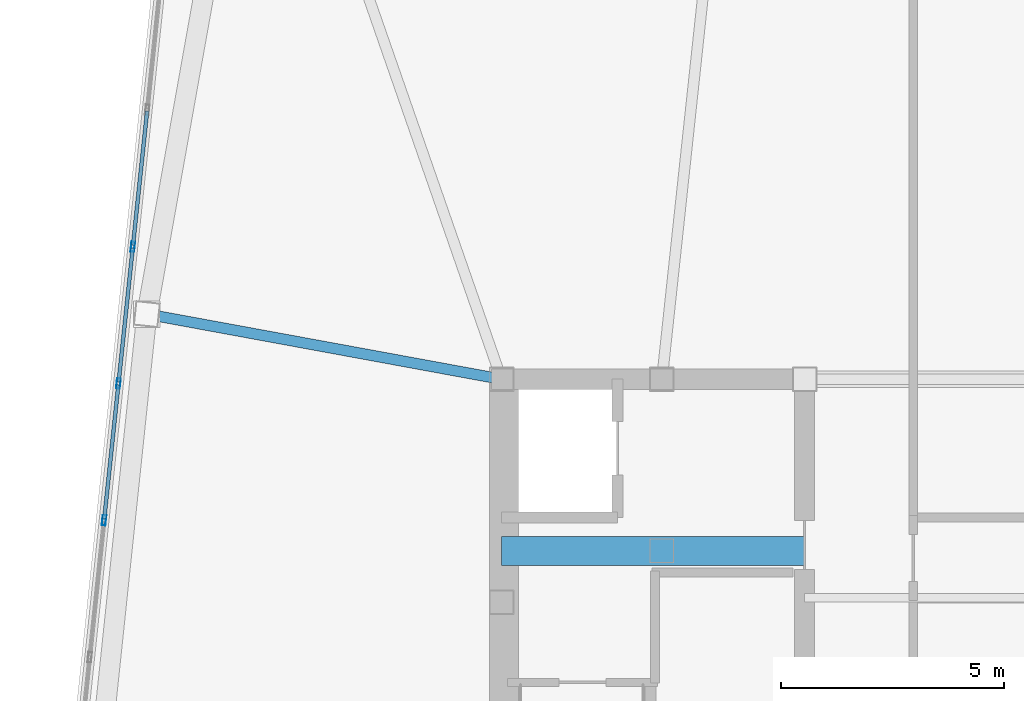
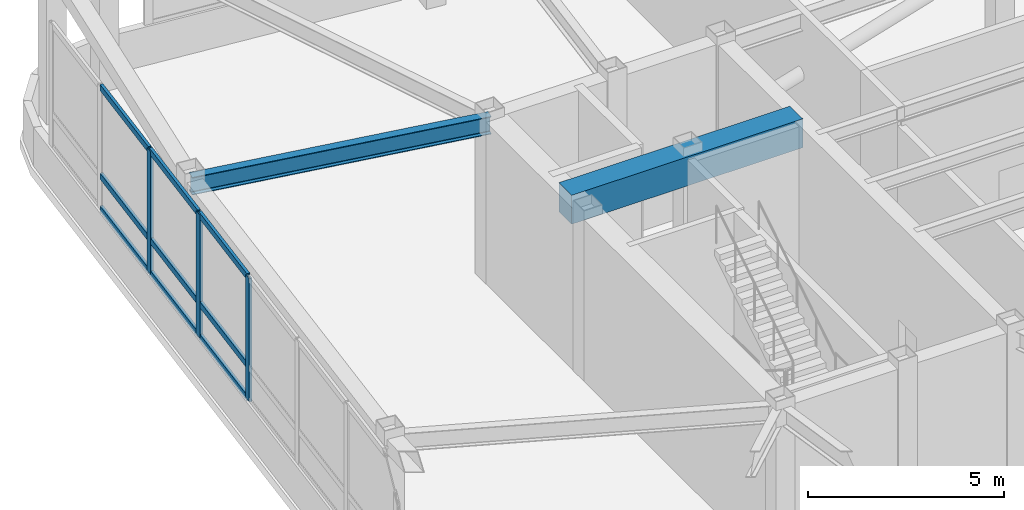
# One storey, part 7 of 23: 12 members, 2 beams, 1 element without a shape of its own.
"""IFC4 building model written with IfcOpenShell, lengths in metres."""

from ifc_helpers import new_model, si_unit, direction, frame, origin, origin_2d, place, context, subcontext, project, spatial, rectangle, hollow_rectangle, i_section, extrude, material, layer, layer_set, material_profile, profile_set, type_object, element, aggregate, save


model = new_model("IFC4")

# Units and contexts
model_context = context("Model", 3, precision=1e-05, world=origin(), true_north=direction((0.0, 1.0)))
body_context = subcontext(model_context, "Body", "Model", "MODEL_VIEW")
ifc_project = project(units=[si_unit("LENGTHUNIT", "METRE"), si_unit("AREAUNIT", "SQUARE_METRE"), si_unit("VOLUMEUNIT", "CUBIC_METRE"), si_unit("PLANEANGLEUNIT", "RADIAN"), si_unit("MASSUNIT", "GRAM", prefix="KILO")], contexts=[model_context])

# Site, building, storey
site_placement = place(None, origin())
site = spatial("IfcSite", under=ifc_project, at=site_placement, CompositionType="ELEMENT")
building_placement = place(site_placement, origin())
building = spatial("IfcBuilding", under=site, at=building_placement, Name="Voryun Gate Residences", CompositionType="ELEMENT")
storey_placement = place(building_placement, frame((0.0, 0.0, 331.89990234375)))
storey = spatial("IfcBuildingStorey", under=building, at=storey_placement, Name="L81", CompositionType="ELEMENT", Elevation=331.89990234375)

# Beams
ifc_material_1 = material(Name="Concrete C60/75", Category="concrete")
ifc_material_profile_1 = material_profile(ifc_material_1, rectangle(XDim=0.64990234375, YDim=0.89990234375, at=origin_2d()), Name="RC-650x900")
ifc_profile_set_1 = profile_set([ifc_material_profile_1], Name="Concrete C60/75")
beam_type_1 = type_object("IfcBeamType", Name="BM_COUP_RC900", PredefinedType="LINTEL", material=ifc_profile_set_1)
beam_1_placement = place(storey_placement, frame((-19.199951171875, 3.550048828125, 4.5751953125), z_axis=(1.0, 0.0, 0.0), x_axis=(0.0, 1.0, 0.0)))
element("IfcBeam", 1, at=beam_1_placement, inside=storey, type_object=beam_type_1, Name="BM-L81-WC1", PredefinedType="LINTEL", context=body_context, shape_type="SweptSolid", body=[
    extrude(rectangle(XDim=0.64990234375, YDim=0.89990234375, at=origin_2d()), origin(), (0.0, 0.0, 1.0), 6.800048828125),
])
ifc_material_2 = material(Name="Steel SM355", Category="steel")
ifc_material_profile_2 = material_profile(ifc_material_2, i_section(OverallWidth=0.239990234375, OverallDepth=0.550048828125, WebThickness=0.011962890625, FlangeThickness=0.02001953125, FilletRadius=0.01806640625, at=origin_2d()), Name="H-550x240x12x20")
ifc_profile_set_2 = profile_set([ifc_material_profile_2], Name="Steel SM355")
beam_type_2 = type_object("IfcBeamType", Name="BM_GIRD_550", PredefinedType="USERDEFINED", material=ifc_profile_set_2)
beam_2_placement = place(storey_placement, frame((-19.199951171875, 7.39990234375, 4.75), z_axis=(-0.983548260318, 0.180645563534, 0.0), x_axis=(-0.180645563534, -0.983548260318, 0.0)))
element("IfcBeam", 2, at=beam_2_placement, inside=storey, type_object=beam_type_2, Name="BM-L81-RAD-W1", ObjectType="GIRDER", PredefinedType="USERDEFINED", context=body_context, shape_type="SweptSolid", body=[
    extrude(i_section(OverallWidth=0.239990234375, OverallDepth=0.550048828125, WebThickness=0.011962890625, FlangeThickness=0.02001953125, FilletRadius=0.01806640625, at=origin_2d()), origin(), (0.0, 0.0, 1.0), 8.09130859375),
])

# Curtain wall, members
ifc_material_3 = material(Name="Anodised aluminium", Category="aluminium")
ifc_layer = layer(ifc_material_3, 0.22998046875, Name="CW_SYS_LANTERN_DARK_GLASS")
ifc_layer_set = layer_set([ifc_layer], Name="Anodised aluminium")
curtain_wall_type = type_object("IfcCurtainWallType", Name="CW_SYS_LANTERN_DARK_GLASS", PredefinedType="NOTDEFINED", material=ifc_layer_set)
curtain_wall_placement = place(storey_placement, origin())
curtain_wall = element("IfcCurtainWall", 3, at=curtain_wall_placement, inside=storey, type_object=curtain_wall_type, Name="Curtain wall CW6-L81-06", PredefinedType="NOTDEFINED")
ifc_material_4 = material(Name="Anodised aluminium", Category="aluminium")
ifc_material_profile_3 = material_profile(ifc_material_4, hollow_rectangle(XDim=0.0849609375, YDim=0.22998046875, WallThickness=0.006103515625, at=origin_2d()), Name="ALU-MULL-230x85x6")
ifc_profile_set_3 = profile_set([ifc_material_profile_3], Name="Anodised aluminium")
member_type_1 = type_object("IfcMemberType", Name="CW_MULL_LANT", PredefinedType="MULLION", material=ifc_profile_set_3)
member_1_placement = place(storey_placement, frame((-28.1171875, 4.234375, 1.190185546875), z_axis=(0.0, 0.0, 1.0), x_axis=(-0.994521943608, 0.104528004296, 0.0)))
member_1 = element("IfcMember", 4, at=member_1_placement, type_object=member_type_1, Name="CW6 mullion 6", PredefinedType="MULLION", context=body_context, shape_type="SweptSolid", body=[
    extrude(hollow_rectangle(XDim=0.0849609375, YDim=0.22998046875, WallThickness=0.006103515625, at=origin_2d()), origin(), (0.0, 0.0, 1.0), 3.8349609375),
])
member_2_placement = place(storey_placement, frame((-27.79443359375, 7.305419921875, 1.190185546875), z_axis=(0.0, 0.0, 1.0), x_axis=(-0.994521943608, 0.104528004296, 0.0)))
member_2 = element("IfcMember", 5, at=member_2_placement, type_object=member_type_1, Name="CW6 mullion 7", PredefinedType="MULLION", context=body_context, shape_type="SweptSolid", body=[
    extrude(hollow_rectangle(XDim=0.0849609375, YDim=0.22998046875, WallThickness=0.006103515625, at=origin_2d()), origin(), (0.0, 0.0, 1.0), 3.8349609375),
])
member_3_placement = place(storey_placement, frame((-27.4716796875, 10.376220703125, 1.190185546875), z_axis=(0.0, 0.0, 1.0), x_axis=(-0.994521943608, 0.104528004296, 0.0)))
member_3 = element("IfcMember", 6, at=member_3_placement, type_object=member_type_1, Name="CW6 mullion 8", PredefinedType="MULLION", context=body_context, shape_type="SweptSolid", body=[
    extrude(hollow_rectangle(XDim=0.0849609375, YDim=0.22998046875, WallThickness=0.006103515625, at=origin_2d()), origin(), (0.0, 0.0, 1.0), 3.8349609375),
])
ifc_material_5 = material(Name="Anodised aluminium", Category="aluminium")
ifc_material_profile_4 = material_profile(ifc_material_5, hollow_rectangle(XDim=0.0849609375, YDim=0.18994140625, WallThickness=0.006103515625, at=origin_2d()), Name="ALU-TRAN-190x85x6")
ifc_profile_set_4 = profile_set([ifc_material_profile_4], Name="Anodised aluminium")
member_type_2 = type_object("IfcMemberType", Name="CW_TRAN_LANT", PredefinedType="USERDEFINED", material=ifc_profile_set_4)
member_4_placement = place(storey_placement, frame((-28.114013671875, 4.26416015625, 1.22021484375), z_axis=(0.104500100479, 0.994524876009, 0.0), x_axis=(-0.994524876009, 0.104500100479, 0.0)))
member_4 = element("IfcMember", 7, at=member_4_placement, type_object=member_type_2, Name="CW6 transom 6.1", ObjectType="TRANSOM", PredefinedType="USERDEFINED", context=body_context, shape_type="SweptSolid", body=[
    extrude(hollow_rectangle(XDim=0.0849609375, YDim=0.18994140625, WallThickness=0.006103515625, at=origin_2d()), origin(), (0.0, 0.0, 1.0), 3.02783203125),
])
member_5_placement = place(storey_placement, frame((-28.114013671875, 4.26416015625, 2.239990234375), z_axis=(0.104500100479, 0.994524876009, 0.0), x_axis=(-0.994524876009, 0.104500100479, 0.0)))
member_5 = element("IfcMember", 8, at=member_5_placement, type_object=member_type_2, Name="CW6 transom 6.2", ObjectType="TRANSOM", PredefinedType="USERDEFINED", context=body_context, shape_type="SweptSolid", body=[
    extrude(hollow_rectangle(XDim=0.0849609375, YDim=0.18994140625, WallThickness=0.006103515625, at=origin_2d()), origin(), (0.0, 0.0, 1.0), 3.02783203125),
])
member_6_placement = place(storey_placement, frame((-28.114013671875, 4.26416015625, 4.9951171875), z_axis=(0.104500100479, 0.994524876009, 0.0), x_axis=(-0.994524876009, 0.104500100479, 0.0)))
member_6 = element("IfcMember", 9, at=member_6_placement, type_object=member_type_2, Name="CW6 transom 6.3", ObjectType="TRANSOM", PredefinedType="USERDEFINED", context=body_context, shape_type="SweptSolid", body=[
    extrude(hollow_rectangle(XDim=0.0849609375, YDim=0.18994140625, WallThickness=0.006103515625, at=origin_2d()), origin(), (0.0, 0.0, 1.0), 3.02783203125),
])
member_7_placement = place(storey_placement, frame((-27.791259765625, 7.335205078125, 1.22021484375), z_axis=(0.104500100479, 0.994524876009, 0.0), x_axis=(-0.994524876009, 0.104500100479, 0.0)))
member_7 = element("IfcMember", 10, at=member_7_placement, type_object=member_type_2, Name="CW6 transom 7.1", ObjectType="TRANSOM", PredefinedType="USERDEFINED", context=body_context, shape_type="SweptSolid", body=[
    extrude(hollow_rectangle(XDim=0.0849609375, YDim=0.18994140625, WallThickness=0.006103515625, at=origin_2d()), origin(), (0.0, 0.0, 1.0), 3.02783203125),
])
member_8_placement = place(storey_placement, frame((-27.791259765625, 7.335205078125, 2.239990234375), z_axis=(0.104500100479, 0.994524876009, 0.0), x_axis=(-0.994524876009, 0.104500100479, 0.0)))
member_8 = element("IfcMember", 11, at=member_8_placement, type_object=member_type_2, Name="CW6 transom 7.2", ObjectType="TRANSOM", PredefinedType="USERDEFINED", context=body_context, shape_type="SweptSolid", body=[
    extrude(hollow_rectangle(XDim=0.0849609375, YDim=0.18994140625, WallThickness=0.006103515625, at=origin_2d()), origin(), (0.0, 0.0, 1.0), 3.02783203125),
])
member_9_placement = place(storey_placement, frame((-27.791259765625, 7.335205078125, 4.9951171875), z_axis=(0.104500100479, 0.994524876009, 0.0), x_axis=(-0.994524876009, 0.104500100479, 0.0)))
member_9 = element("IfcMember", 12, at=member_9_placement, type_object=member_type_2, Name="CW6 transom 7.3", ObjectType="TRANSOM", PredefinedType="USERDEFINED", context=body_context, shape_type="SweptSolid", body=[
    extrude(hollow_rectangle(XDim=0.0849609375, YDim=0.18994140625, WallThickness=0.006103515625, at=origin_2d()), origin(), (0.0, 0.0, 1.0), 3.02783203125),
])
member_10_placement = place(storey_placement, frame((-27.468505859375, 10.406005859375, 1.22021484375), z_axis=(0.104500100479, 0.994524876009, 0.0), x_axis=(-0.994524876009, 0.104500100479, 0.0)))
member_10 = element("IfcMember", 13, at=member_10_placement, type_object=member_type_2, Name="CW6 transom 8.1", ObjectType="TRANSOM", PredefinedType="USERDEFINED", context=body_context, shape_type="SweptSolid", body=[
    extrude(hollow_rectangle(XDim=0.0849609375, YDim=0.18994140625, WallThickness=0.006103515625, at=origin_2d()), origin(), (0.0, 0.0, 1.0), 3.02783203125),
])
member_11_placement = place(storey_placement, frame((-27.468505859375, 10.406005859375, 2.239990234375), z_axis=(0.104500100479, 0.994524876009, 0.0), x_axis=(-0.994524876009, 0.104500100479, 0.0)))
member_11 = element("IfcMember", 14, at=member_11_placement, type_object=member_type_2, Name="CW6 transom 8.2", ObjectType="TRANSOM", PredefinedType="USERDEFINED", context=body_context, shape_type="SweptSolid", body=[
    extrude(hollow_rectangle(XDim=0.0849609375, YDim=0.18994140625, WallThickness=0.006103515625, at=origin_2d()), origin(), (0.0, 0.0, 1.0), 3.02783203125),
])
member_12_placement = place(storey_placement, frame((-27.468505859375, 10.406005859375, 4.9951171875), z_axis=(0.104500100479, 0.994524876009, 0.0), x_axis=(-0.994524876009, 0.104500100479, 0.0)))
member_12 = element("IfcMember", 15, at=member_12_placement, type_object=member_type_2, Name="CW6 transom 8.3", ObjectType="TRANSOM", PredefinedType="USERDEFINED", context=body_context, shape_type="SweptSolid", body=[
    extrude(hollow_rectangle(XDim=0.0849609375, YDim=0.18994140625, WallThickness=0.006103515625, at=origin_2d()), origin(), (0.0, 0.0, 1.0), 3.02783203125),
])
aggregate(curtain_wall, [member_1, member_2, member_3, member_4, member_5, member_6, member_7, member_8, member_9, member_10, member_11, member_12])

save(model, "model.ifc")
